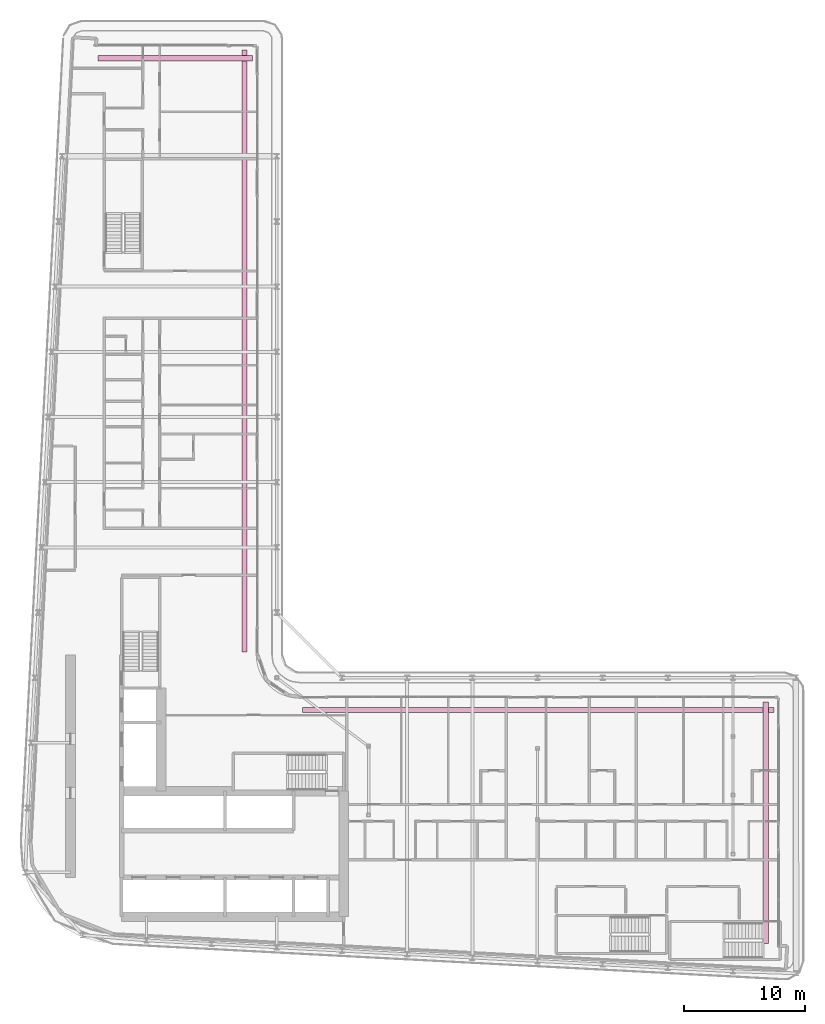
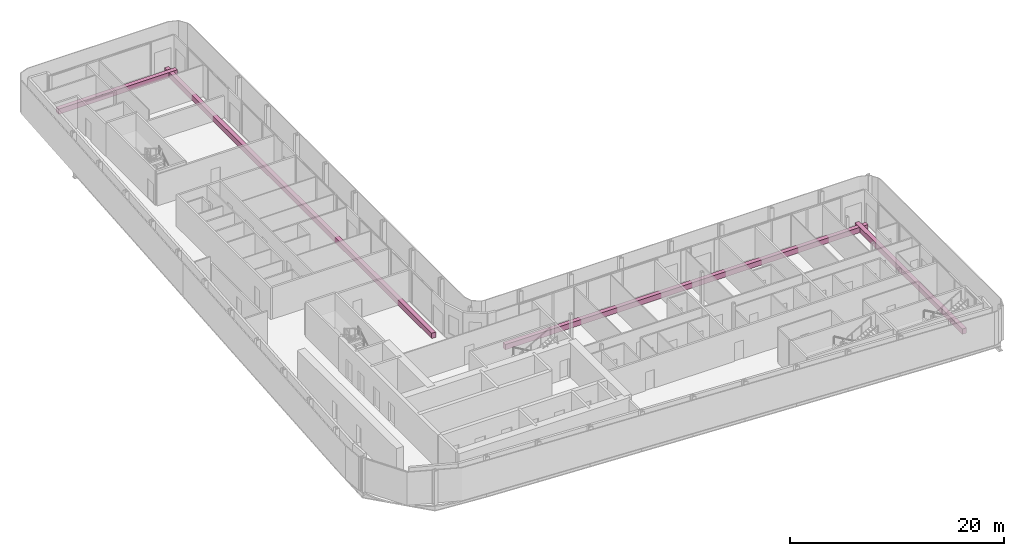
# One storey, part 24 of 24: 4 furniture elements.
"""IFC4 building model written with IfcOpenShell, lengths in metres."""

from ifc_helpers import new_model, si_unit, direction, frame, origin, origin_2d, place, context, subcontext, project, spatial, rectangle, extrude, material, type_object, element, save


model = new_model("IFC4")

# Units and contexts
model_context = context("Model", 3, precision=1e-05, world=origin(), true_north=direction((0.0, 1.0)))
body_context = subcontext(model_context, "Body", "Model", "MODEL_VIEW")
ifc_project = project(units=[si_unit("LENGTHUNIT", "METRE"), si_unit("AREAUNIT", "SQUARE_METRE"), si_unit("VOLUMEUNIT", "CUBIC_METRE"), si_unit("PLANEANGLEUNIT", "RADIAN"), si_unit("MASSUNIT", "GRAM", prefix="KILO")], contexts=[model_context])

# Site, building, storey
site_placement = place(None, origin())
site = spatial("IfcSite", under=ifc_project, at=site_placement, CompositionType="ELEMENT")
building_placement = place(site_placement, origin())
building = spatial("IfcBuilding", under=site, at=building_placement, Name="Kheshtan School and Residences Tower", CompositionType="ELEMENT")
storey_placement = place(building_placement, frame((0.0, 0.0, 160.39990234375)))
storey = spatial("IfcBuildingStorey", under=building, at=storey_placement, Name="L37", CompositionType="ELEMENT", Elevation=160.39990234375)

# Furniture
ifc_material = material(Name="Precast concrete C30/37 in terracotta finish", Category="masonry")
furniture_type = type_object("IfcFurnitureType", Name="Planter trough", AssemblyPlace="NOTDEFINED", PredefinedType="USERDEFINED", material=ifc_material)
furniture_1_placement = place(storey_placement, frame((39.196044921875, 96.925048828125, 0.0), z_axis=(0.0, 0.0, 1.0), x_axis=(1.0, 0.0, 0.0)))
element("IfcFurniture", 1, at=furniture_1_placement, inside=storey, type_object=furniture_type, Name="Planter L37", ObjectType="PLANTER", PredefinedType="USERDEFINED", context=body_context, shape_type="SweptSolid", body=[
    extrude(rectangle(XDim=12.80810546875, YDim=0.449951171875, at=origin_2d()), origin(), (0.0, 0.0, 1.0), 0.60009765625),
])
furniture_2_placement = place(storey_placement, frame((44.925048828125, 72.6650390625, 0.0), z_axis=(0.0, 0.0, 1.0), x_axis=(0.0, -1.0, 0.0)))
element("IfcFurniture", 2, at=furniture_2_placement, inside=storey, type_object=furniture_type, Name="Planter L37", ObjectType="PLANTER", PredefinedType="USERDEFINED", context=body_context, shape_type="SweptSolid", body=[
    extrude(rectangle(XDim=49.8701171875, YDim=0.449951171875, at=origin_2d()), origin(), (0.0, 0.0, 1.0), 0.60009765625),
])
furniture_3_placement = place(storey_placement, frame((69.264892578125, 42.925048828125, 0.0), z_axis=(0.0, 0.0, 1.0), x_axis=(1.0, 0.0, 0.0)))
element("IfcFurniture", 3, at=furniture_3_placement, inside=storey, type_object=furniture_type, Name="Planter L37", ObjectType="PLANTER", PredefinedType="USERDEFINED", context=body_context, shape_type="SweptSolid", body=[
    extrude(rectangle(XDim=39.070068359375, YDim=0.449951171875, at=origin_2d()), origin(), (0.0, 0.0, 1.0), 0.60009765625),
])
furniture_4_placement = place(storey_placement, frame((88.125, 33.591064453125, 0.0), z_axis=(0.0, 0.0, 1.0), x_axis=(0.0, -1.0, 0.0)))
element("IfcFurniture", 4, at=furniture_4_placement, inside=storey, type_object=furniture_type, Name="Planter L37", ObjectType="PLANTER", PredefinedType="USERDEFINED", context=body_context, shape_type="SweptSolid", body=[
    extrude(rectangle(XDim=20.01708984375, YDim=0.449951171875, at=origin_2d()), origin(), (0.0, 0.0, 1.0), 0.60009765625),
])

save(model, "model.ifc")
